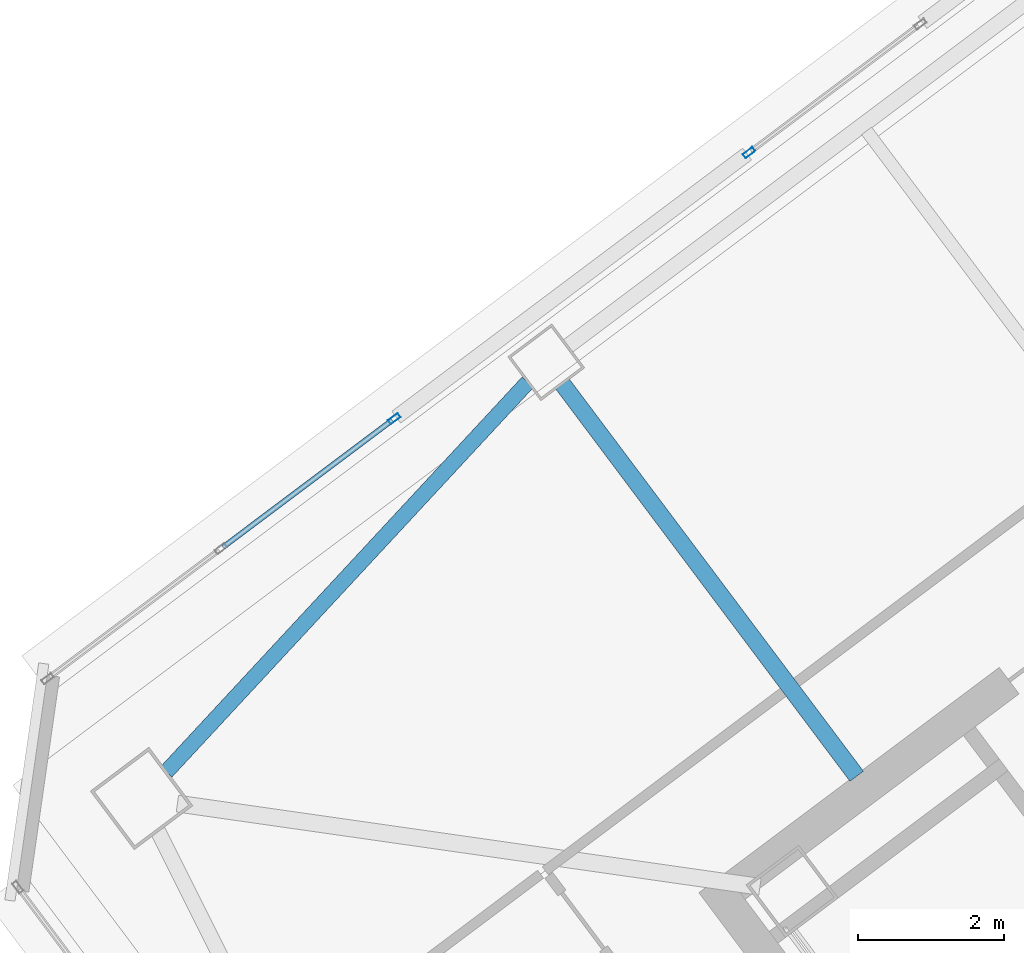
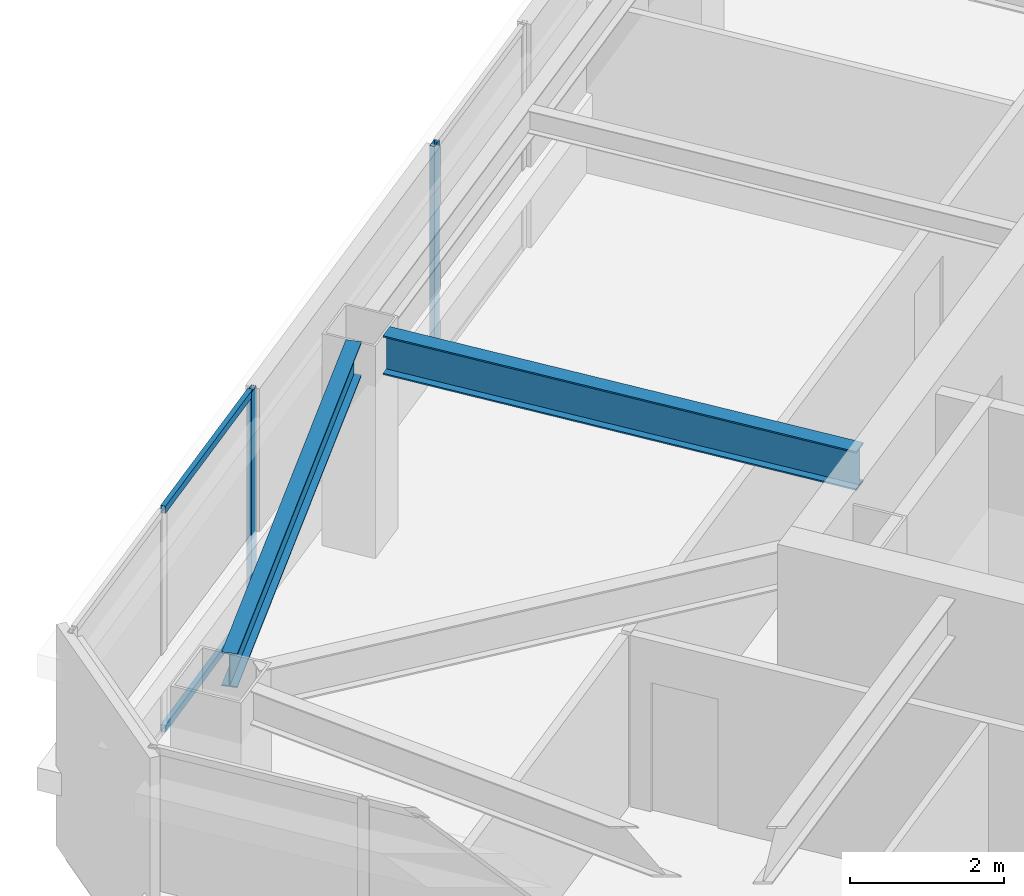
# One storey, part 23 of 44: 4 members, 2 beams, 2 elements without a shape of their own.
"""IFC4 building model written with IfcOpenShell, lengths in metres."""

import ifcopenshell
import ifcopenshell.guid

model = None  # the IFC model being written
_history = None  # IfcOwnerHistory: only IFC2X3 demands one
_inside = {}  # id of a spatial element -> (the spatial element, [elements in it])
_under = {}  # id of a project, library or spatial element -> (it, [spatial elements below it])
_declared = {}  # id of a project -> (the project, [libraries it declares])
_typed = {}  # id of a type object -> (the type object, [elements of that type])
_made_of = {}  # id of a material, layer set ... -> (it, [elements and type objects made of it])


def new_model(schema):
    """Start an empty IFC model of exactly this schema.

    Asked for "IFC4X3", IfcOpenShell would pick the latest addendum, in which some entities
    have other attributes; the version numbers below select the first issue.
    IFC2X3 requires an IfcOwnerHistory on every rooted entity: one is made here for all.
    """
    global model, _history
    if schema == "IFC4X3":
        model = ifcopenshell.file(schema_version=(4, 3, 0, 0))
    else:
        model = ifcopenshell.file(schema=schema)
    _inside.clear()
    _under.clear()
    _declared.clear()
    _typed.clear()
    _made_of.clear()
    _history = None
    if model.schema == "IFC2X3":
        org = make("IfcOrganization", Name="unknown")
        user = make(
            "IfcPersonAndOrganization",
            ThePerson=make("IfcPerson", FamilyName="unknown"),
            TheOrganization=org,
        )
        app = make(
            "IfcApplication",
            ApplicationDeveloper=org,
            Version="unknown",
            ApplicationFullName="unknown",
            ApplicationIdentifier="unknown",
        )
        _history = make(
            "IfcOwnerHistory",
            OwningUser=user,
            OwningApplication=app,
            ChangeAction="ADDED",
            CreationDate=0,
        )
    return model


def make(cls, **values):
    """One entity of the class cls with the attributes given. An attribute that is None is left unset."""
    return model.create_entity(
        cls, **{name: value for name, value in values.items() if value is not None}
    )


def rooted(cls, **values):
    """An entity with a GlobalId (a new one), such as an element, a storey or a relation."""
    return make(cls, GlobalId=ifcopenshell.guid.new(), OwnerHistory=_history, **values)


def si_unit(unit_type, name, prefix=None):
    """IfcSIUnit, for example si_unit("LENGTHUNIT", "METRE", prefix="MILLI")."""
    return make("IfcSIUnit", UnitType=unit_type, Prefix=prefix, Name=name)


def assignment(units):
    """IfcUnitAssignment: the units of a project."""
    return None if units is None else make("IfcUnitAssignment", Units=units)


def point(xyz):
    """IfcCartesianPoint."""
    return None if xyz is None else make("IfcCartesianPoint", Coordinates=xyz)


def direction(xyz):
    """IfcDirection."""
    return None if xyz is None else make("IfcDirection", DirectionRatios=xyz)


def frame(location, z_axis=None, x_axis=None):
    """IfcAxis2Placement3D, a coordinate frame: its origin and axes. An axis left out is left unset."""
    return make(
        "IfcAxis2Placement3D",
        Location=point(location),
        Axis=direction(z_axis),
        RefDirection=direction(x_axis),
    )


def frame_2d(location, x_axis=None):
    """IfcAxis2Placement2D, a coordinate frame in the plane: its origin and x axis."""
    return make(
        "IfcAxis2Placement2D", Location=point(location), RefDirection=direction(x_axis)
    )


def origin():
    """The frame at (0, 0, 0) with its axes left unset."""
    return frame((0.0, 0.0, 0.0))


def origin_2d():
    """The frame at (0, 0) in the plane with its x axis left unset."""
    return frame_2d((0.0, 0.0))


def place(relative_to, where):
    """IfcLocalPlacement: puts the frame where relative to a parent placement (None: the world)."""
    return make(
        "IfcLocalPlacement", PlacementRelTo=relative_to, RelativePlacement=where
    )


def context(
    kind, dimensions, precision=None, world=None, true_north=None, identifier=None
):
    """IfcGeometricRepresentationContext, for example the 3D "Model" context."""
    return make(
        "IfcGeometricRepresentationContext",
        ContextIdentifier=identifier,
        ContextType=kind,
        CoordinateSpaceDimension=dimensions,
        Precision=precision,
        WorldCoordinateSystem=world,
        TrueNorth=true_north,
    )


def subcontext(parent, identifier, kind, view, scale=None):
    """IfcGeometricRepresentationSubContext, for example "Body" below "Model"."""
    return make(
        "IfcGeometricRepresentationSubContext",
        ContextIdentifier=identifier,
        ContextType=kind,
        ParentContext=parent,
        TargetScale=scale,
        TargetView=view,
    )


def project(units=None, contexts=None):
    """IfcProject with its units and contexts."""
    return rooted(
        "IfcProject",
        Name="project",
        RepresentationContexts=contexts,
        UnitsInContext=assignment(units),
    )


def spatial(cls, under=None, at=None, **own):
    """A site, building, storey or space (cls), placed at a placement, below another one or the project."""
    s = rooted(cls, ObjectPlacement=at, **own)
    if under is not None:
        _under.setdefault(under.id(), (under, []))[1].append(s)
    return s


def profile(cls, at=None, kind="AREA", **sizes):
    """A parametric profile (cls). Its sizes go by their IFC names, for example OverallWidth=200.0."""
    return make(cls, ProfileType=kind, Position=at, **sizes)


def hollow_rectangle(**sizes):
    """IfcRectangleHollowProfileDef."""
    return profile("IfcRectangleHollowProfileDef", **sizes)


def i_section(**sizes):
    """IfcIShapeProfileDef."""
    return profile("IfcIShapeProfileDef", **sizes)


def extrude(swept, where, along, depth):
    """IfcExtrudedAreaSolid: the profile swept, set in the frame where, extruded along a direction by depth."""
    return make(
        "IfcExtrudedAreaSolid",
        SweptArea=swept,
        Position=where,
        ExtrudedDirection=direction(along),
        Depth=depth,
    )


def shape(context_of_items, identifier, shape_type, items):
    """IfcShapeRepresentation: the items that make up one representation, for example the "Body"."""
    return make(
        "IfcShapeRepresentation",
        ContextOfItems=context_of_items,
        RepresentationIdentifier=identifier,
        RepresentationType=shape_type,
        Items=items,
    )


def material(Name=None, Category=None):
    """IfcMaterial."""
    return make("IfcMaterial", Name=Name, Category=Category)


def material_profile(
    of_material, cross_section, Name=None, Category=None, Priority=None
):
    """IfcMaterialProfile: a cross section and its material."""
    return make(
        "IfcMaterialProfile",
        Name=Name,
        Material=of_material,
        Profile=cross_section,
        Priority=Priority,
        Category=Category,
    )


def profile_set(profiles, Name=None, composite=None):
    """IfcMaterialProfileSet."""
    return make(
        "IfcMaterialProfileSet",
        Name=Name,
        MaterialProfiles=profiles,
        CompositeProfile=composite,
    )


def made_of(thing, what):
    """Note that an element or type object is made of a material, layer set ...; save() writes the relation."""
    if what is not None:
        _made_of.setdefault(what.id(), (what, []))[1].append(thing)
    return thing


def type_object(cls, material=None, **own):
    """A type object (cls), such as IfcWallType, which elements share."""
    return made_of(rooted(cls, **own), material)


def element(
    cls,
    number,
    at=None,
    inside=None,
    cuts=None,
    type_object=None,
    material=None,
    context=None,
    identifier="Body",
    shape_type=None,
    held_by="IfcProductDefinitionShape",
    body=None,
    shapes=None,
    **own,
):
    """One element of the class cls, such as IfcWall. Its Tag is "e" and its number.

    at: its placement. inside: the storey or other place that contains it. cuts: it is an
    opening in that element (IfcRelVoidsElement). A single representation is given by context,
    identifier, shape_type and body (its items); several are given by shapes. held_by: the class
    of the entity that holds the representations. save() writes the other relations.
    """
    e = rooted(cls, Tag="e%d" % number, ObjectPlacement=at, **own)
    if body is not None:
        shapes = [shape(context, identifier, shape_type, body)]
    if shapes is not None:
        e.Representation = make(held_by, Representations=shapes)
    if inside is not None:
        _inside.setdefault(inside.id(), (inside, []))[1].append(e)
    if cuts is not None:
        rooted(
            "IfcRelVoidsElement", RelatingBuildingElement=cuts, RelatedOpeningElement=e
        )
    if type_object is not None:
        _typed.setdefault(type_object.id(), (type_object, []))[1].append(e)
    return made_of(e, material)


def aggregate(whole, parts):
    """IfcRelAggregates: a whole, such as a stair, and the parts it consists of."""
    return rooted("IfcRelAggregates", RelatingObject=whole, RelatedObjects=parts)


def save(model, path):
    """Write the relations noted so far, then the file.

    IfcRelAggregates (storeys below a building ...), IfcRelContainedInSpatialStructure (elements
    in a storey), IfcRelDefinesByType, IfcRelAssociatesMaterial and IfcRelDeclares: one each for
    every whole, place, type object, material and project.
    """
    for whole, parts in _under.values():
        aggregate(whole, parts)
    for where, things in _inside.values():
        rooted(
            "IfcRelContainedInSpatialStructure",
            RelatedElements=things,
            RelatingStructure=where,
        )
    for kind, things in _typed.values():
        rooted("IfcRelDefinesByType", RelatedObjects=things, RelatingType=kind)
    for what, things in _made_of.values():
        rooted("IfcRelAssociatesMaterial", RelatedObjects=things, RelatingMaterial=what)
    for by, libraries in _declared.values():
        rooted("IfcRelDeclares", RelatingContext=by, RelatedDefinitions=libraries)
    model.write(path)


model = new_model("IFC4")

# Units and contexts
model_context = context("Model", 3, precision=1e-05, world=origin(), true_north=direction((0.0, 1.0)))
body_context = subcontext(model_context, "Body", "Model", "MODEL_VIEW")
ifc_project = project(units=[si_unit("LENGTHUNIT", "METRE"), si_unit("AREAUNIT", "SQUARE_METRE"), si_unit("VOLUMEUNIT", "CUBIC_METRE"), si_unit("PLANEANGLEUNIT", "RADIAN"), si_unit("MASSUNIT", "GRAM", prefix="KILO")], contexts=[model_context])

# Site, building, storey
site_placement = place(None, origin())
site = spatial("IfcSite", under=ifc_project, at=site_placement, CompositionType="ELEMENT")
building_placement = place(site_placement, origin())
building = spatial("IfcBuilding", under=site, at=building_placement, Name="Tashvorn Skyway Center", CompositionType="ELEMENT")
storey_placement = place(building_placement, frame((0.0, 0.0, 211.300048828125)))
storey = spatial("IfcBuildingStorey", under=building, at=storey_placement, Name="L57", CompositionType="ELEMENT", Elevation=211.300048828125)

# Beams
ifc_material_1 = material(Name="Steel ASTM A992 Grade 50", Category="steel")
ifc_material_profile_1 = material_profile(ifc_material_1, i_section(OverallWidth=0.22998046875, OverallDepth=0.616943359375, WebThickness=0.01318359375, FlangeThickness=0.022216796875, at=origin_2d()), Name="W24X94")
ifc_profile_set_1 = profile_set([ifc_material_profile_1], Name="Steel ASTM A992 Grade 50")
beam_type_1 = type_object("IfcBeamType", Name="BM-BEAM-W24X94", PredefinedType="BEAM", material=ifc_profile_set_1)
beam_1_placement = place(storey_placement, frame((100.991943359375, 40.343994140625, 3.0615234375), z_axis=(0.599994169845, -0.800004372583, 0.0), x_axis=(0.800004372583, 0.599994169845, 0.0)))
element("IfcBeam", 1, at=beam_1_placement, inside=storey, type_object=beam_type_1, Name="Tower 2 L57 Primary Floor Girder FC-N2", PredefinedType="BEAM", context=body_context, shape_type="SweptSolid", body=[
    extrude(i_section(OverallWidth=0.22998046875, OverallDepth=0.616943359375, WebThickness=0.01318359375, FlangeThickness=0.022216796875, at=origin_2d()), origin(), (0.0, 0.0, 1.0), 6.7001953125),
])
ifc_material_profile_2 = material_profile(ifc_material_1, i_section(OverallWidth=0.2109375, OverallDepth=0.5390625, WebThickness=0.01171875, FlangeThickness=0.018798828125, at=origin_2d()), Name="W21X73")
ifc_profile_set_2 = profile_set([ifc_material_profile_2], Name="Steel ASTM A992 Grade 50")
beam_type_2 = type_object("IfcBeamType", Name="BM-SPANDREL-W21X73", PredefinedType="SPANDREL", material=ifc_profile_set_2)
beam_2_placement = place(storey_placement, frame((100.518310546875, 40.36865234375, 3.100341796875), z_axis=(-0.680182956622, -0.733042389989, 0.0), x_axis=(0.733042389989, -0.680182956622, 0.0)))
element("IfcBeam", 2, at=beam_2_placement, inside=storey, type_object=beam_type_2, Name="Tower 2 L57 Spandrel Beam 09", PredefinedType="SPANDREL", context=body_context, shape_type="SweptSolid", body=[
    extrude(i_section(OverallWidth=0.2109375, OverallDepth=0.5390625, WebThickness=0.01171875, FlangeThickness=0.018798828125, at=origin_2d()), origin(), (0.0, 0.0, 1.0), 7.26513671875),
])

# Curtain wall, member
ifc_material_2 = material(Name="Thermally broken bronze-anodized aluminium 6063-T6", Category="aluminium")
curtain_wall_type = type_object("IfcCurtainWallType", Name="CW-CW-Z5", PredefinedType="NOTDEFINED", material=ifc_material_2)
curtain_wall_1_placement = place(storey_placement, origin())
curtain_wall_1 = element("IfcCurtainWall", 3, at=curtain_wall_1_placement, inside=storey, type_object=curtain_wall_type, Name="Tower 2 L57 North Unitised Curtain Wall Glazing Group 1", PredefinedType="NOTDEFINED")
ifc_material_profile_3 = material_profile(ifc_material_2, hollow_rectangle(XDim=0.070068359375, YDim=0.1650390625, WallThickness=0.00390625, at=origin_2d()), Name="ALU-MULL-70x165")
ifc_profile_set_3 = profile_set([ifc_material_profile_3], Name="Thermally broken bronze-anodized aluminium 6063-T6")
member_type_1 = type_object("IfcMemberType", Name="CWM-CW-Z5", PredefinedType="MULLION", material=ifc_profile_set_3)
member_1_placement = place(storey_placement, frame((98.69287109375, 39.86962890625, 0.0), z_axis=(0.0, 0.0, 1.0), x_axis=(-0.600002670604, 0.79999799704, 0.0)))
member_1 = element("IfcMember", 4, at=member_1_placement, type_object=member_type_1, Name="CW-Z5 mullion 3", PredefinedType="MULLION", context=body_context, shape_type="SweptSolid", body=[
    extrude(hollow_rectangle(XDim=0.070068359375, YDim=0.1650390625, WallThickness=0.00390625, at=origin_2d()), origin(), (0.0, 0.0, 1.0), 3.550048828125),
])

curtain_wall_2_placement = place(storey_placement, origin())
curtain_wall_2 = element("IfcCurtainWall", 5, at=curtain_wall_2_placement, inside=storey, type_object=curtain_wall_type, Name="Tower 2 L57 North Unitised Curtain Wall Glazing Group 2", PredefinedType="NOTDEFINED")
member_2_placement = place(storey_placement, frame((103.541748046875, 43.50634765625, 0.0), z_axis=(0.0, 0.0, 1.0), x_axis=(-0.600021364741, 0.799983975999, 0.0)))
member_2 = element("IfcMember", 6, at=member_2_placement, type_object=member_type_1, Name="CW-Z5 mullion 1", PredefinedType="MULLION", context=body_context, shape_type="SweptSolid", body=[
    extrude(hollow_rectangle(XDim=0.070068359375, YDim=0.1650390625, WallThickness=0.00390625, at=origin_2d()), origin(), (0.0, 0.0, 1.0), 3.550048828125),
])
aggregate(curtain_wall_2, [member_2])

# Member
ifc_material_profile_4 = material_profile(ifc_material_2, hollow_rectangle(XDim=0.070068359375, YDim=0.114990234375, WallThickness=0.00390625, at=origin_2d()), Name="ALU-TRAN-70x115")
ifc_profile_set_4 = profile_set([ifc_material_profile_4], Name="Thermally broken bronze-anodized aluminium 6063-T6")
member_type_2 = type_object("IfcMemberType", Name="CWT-CW-Z5", PredefinedType="USERDEFINED", material=ifc_profile_set_4)
member_3_placement = place(storey_placement, frame((96.3525390625, 38.1142578125, 0.034912109375), z_axis=(0.799969591513, 0.600040542509, 0.0), x_axis=(-0.600040542509, 0.799969591513, 0.0)))
member_3 = element("IfcMember", 7, at=member_3_placement, type_object=member_type_2, Name="CW-Z5 transom 2.1", ObjectType="TRANSOM", PredefinedType="USERDEFINED", context=body_context, shape_type="SweptSolid", body=[
    extrude(hollow_rectangle(XDim=0.070068359375, YDim=0.114990234375, WallThickness=0.00390625, at=origin_2d()), origin(), (0.0, 0.0, 1.0), 2.890380859375),
])

member_4_placement = place(storey_placement, frame((96.3525390625, 38.1142578125, 3.514892578125), z_axis=(0.799969591513, 0.600040542509, 0.0), x_axis=(-0.600040542509, 0.799969591513, 0.0)))
member_4 = element("IfcMember", 8, at=member_4_placement, type_object=member_type_2, Name="CW-Z5 transom 2.2", ObjectType="TRANSOM", PredefinedType="USERDEFINED", context=body_context, shape_type="SweptSolid", body=[
    extrude(hollow_rectangle(XDim=0.070068359375, YDim=0.114990234375, WallThickness=0.00390625, at=origin_2d()), origin(), (0.0, 0.0, 1.0), 2.890380859375),
])

aggregate(curtain_wall_1, [member_1, member_3, member_4])

save(model, "model.ifc")
